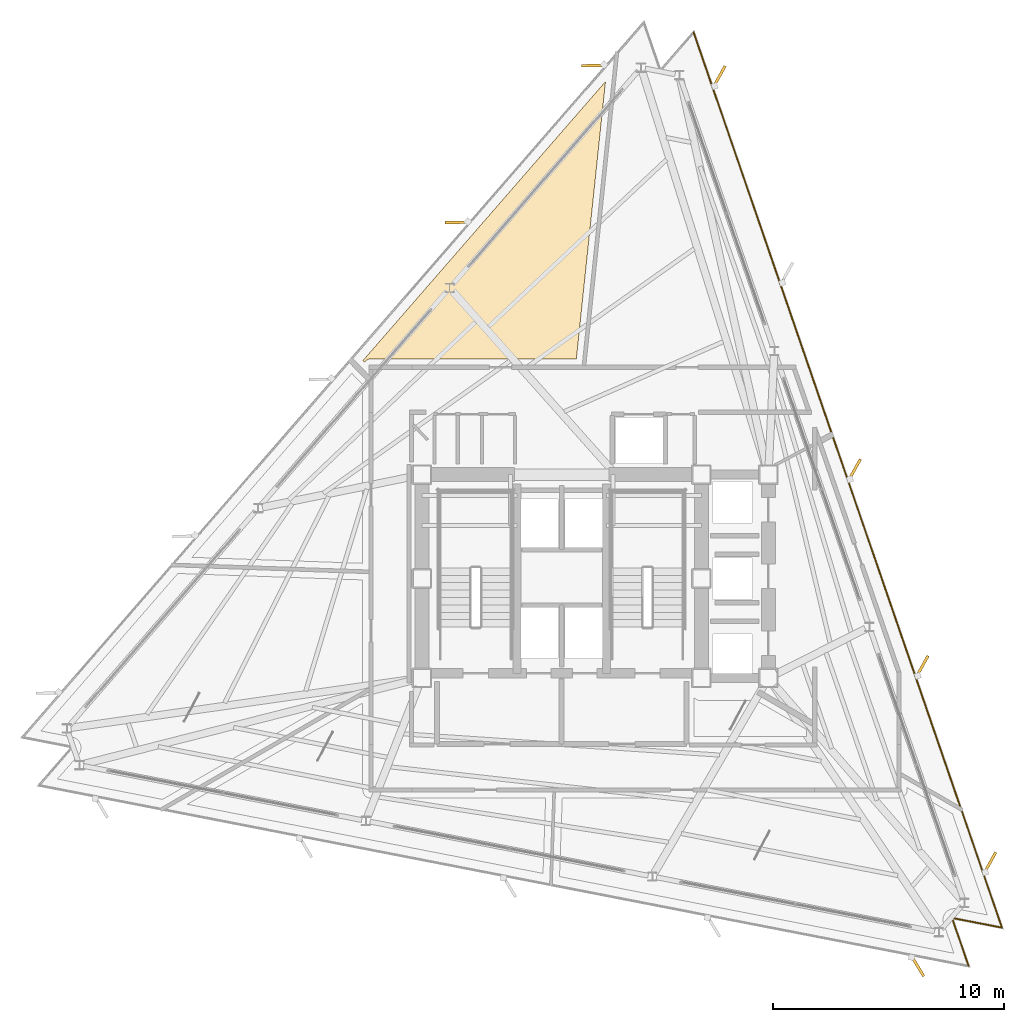
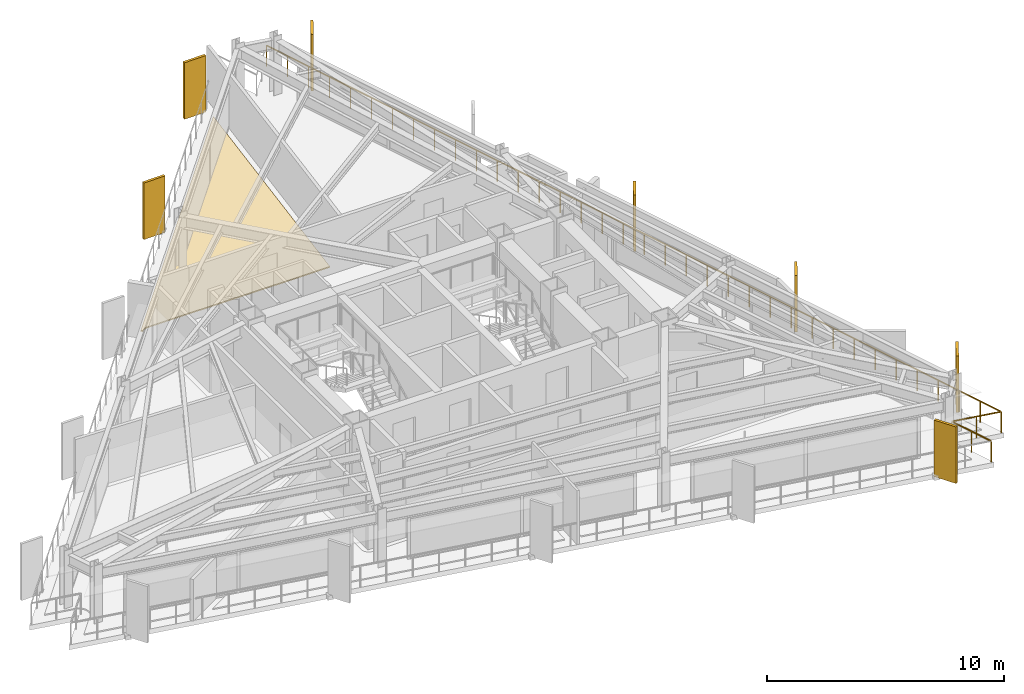
# One storey, part 13 of 13: 7 shading devices, 1 covering, 1 railing.
"""IFC4 building model written with IfcOpenShell, lengths in metres."""

from ifc_helpers import new_model, si_unit, direction, frame, origin, origin_2d, place, context, subcontext, project, spatial, polyline, rectangle, outline, extrude, material, layer, layer_set, type_object, element, save


model = new_model("IFC4")

# Units and contexts
model_context = context("Model", 3, precision=1e-05, world=origin(), true_north=direction((0.0, 1.0)))
body_context = subcontext(model_context, "Body", "Model", "MODEL_VIEW")
ifc_project = project(units=[si_unit("LENGTHUNIT", "METRE"), si_unit("AREAUNIT", "SQUARE_METRE"), si_unit("VOLUMEUNIT", "CUBIC_METRE"), si_unit("PLANEANGLEUNIT", "RADIAN"), si_unit("MASSUNIT", "GRAM", prefix="KILO")], contexts=[model_context])

# Site, building, storey
site_placement = place(None, origin())
site = spatial("IfcSite", under=ifc_project, at=site_placement, CompositionType="ELEMENT")
building_placement = place(site_placement, origin())
building = spatial("IfcBuilding", under=site, at=building_placement, Name="Rocaltana Carrier Exchange", CompositionType="ELEMENT")
storey_placement = place(building_placement, frame((0.0, 0.0, 162.39990234375)))
storey = spatial("IfcBuildingStorey", under=building, at=storey_placement, Name="L51", CompositionType="ELEMENT", Elevation=162.39990234375)

# Covering
ifc_material_1 = material(Name="Calcium Sulphate & Aluminium Pedestal", Category="aluminium")
ifc_layer_1 = layer(ifc_material_1, 0.06005859375)
ifc_layer_set_1 = layer_set([ifc_layer_1], Name="Calcium Sulphate & Aluminium Pedestal")
covering_type = type_object("IfcCoveringType", Name="Anti-Static Raised Exchange Access Floor 60", PredefinedType="FLOORING", material=ifc_layer_set_1)
covering_placement = place(storey_placement, origin())
element("IfcCovering", 1, at=covering_placement, inside=storey, type_object=covering_type, Name="L51 Quiet Focus Lounge Finish Floor", PredefinedType="FLOORING", context=body_context, shape_type="SweptSolid", body=[
    extrude(outline(polyline([(-8.54052734375, 9.3623046875), (-8.607421875, 9.431396484375), (1.899658203125, 21.518310546875), (0.6376953125, 9.510009765625), (-8.25, 9.510009765625), (-8.263671875, 9.509765625), (-8.271484375, 9.50927734375), (-8.298828125, 9.506591796875), (-8.306640625, 9.50537109375), (-8.33349609375, 9.5), (-8.34130859375, 9.498291015625), (-8.36767578125, 9.490234375), (-8.375, 9.487548828125), (-8.400390625, 9.47705078125), (-8.407470703125, 9.4736328125), (-8.431640625, 9.460693359375), (-8.4384765625, 9.456787109375), (-8.461181640625, 9.44140625), (-8.467529296875, 9.436767578125), (-8.48876953125, 9.419189453125), (-8.49462890625, 9.4140625), (-8.513916015625, 9.39453125), (-8.519287109375, 9.388916015625), (-8.53662109375, 9.367431640625), (-8.54052734375, 9.3623046875)])), origin(), (0.0, 0.0, 1.0), 0.06005859375),
])

# Shading devices
ifc_material_2 = material(Name="Honed Bogota Sandstone & Concrete C45/55", Category="masonry")
ifc_layer_2 = layer(ifc_material_2, 0.1201171875)
ifc_layer_set_2 = layer_set([ifc_layer_2], Name="Honed Bogota Sandstone & Concrete C45/55")
shading_device_type = type_object("IfcShadingDeviceType", Name="Upper Sandstone Shading Fin 1050x120", PredefinedType="USERDEFINED", material=ifc_layer_set_2)
for number, where, z_axis, x_axis, name in (
    (2, (18.541748046875, -12.3095703125, -0.1201171875), (0.0, 0.0, 1.0), (0.484809620246, 0.874619707139, 0.0), "L51 Sandstone Vertical Fin F1-01"),
    (3, (15.61181640625, -3.7998046875, -0.1201171875), (0.0, 0.0, 1.0), (0.484809620246, 0.874619707139, 0.0), "L51 Sandstone Vertical Fin F1-02"),
    (4, (12.681396484375, 4.709716796875, -0.1201171875), (0.0, 0.0, 1.0), (0.484809620246, 0.874619707139, 0.0), "L51 Sandstone Vertical Fin F1-03"),
    (5, (6.8212890625, 21.729248046875, -0.1201171875), (0.0, 0.0, 1.0), (0.484809620246, 0.874619707139, 0.0), "L51 Sandstone Vertical Fin F1-05"),
    (6, (1.389404296875, 22.21240234375, -0.1201171875), (0.0, 0.0, 1.0), (-0.999847695156, -0.017452406437, 0.0), "L51 Sandstone Vertical Fin F2-01"),
    (7, (-4.51513671875, 15.419921875, -0.1201171875), (0.0, 0.0, 1.0), (-0.999847695156, -0.017452406437, 0.0), "L51 Sandstone Vertical Fin F2-02"),
    (8, (15.407470703125, -16.77197265625, -0.1201171875), (0.0, 0.0, 1.0), (0.51503807491, -0.857167300702, 0.0), "L51 Sandstone Vertical Fin F3-05"),
):
    element("IfcShadingDevice", number, at=place(storey_placement, frame(where, z_axis=z_axis, x_axis=x_axis)), inside=storey, type_object=shading_device_type, Name=name, ObjectType="FIN", PredefinedType="USERDEFINED", context=body_context, shape_type="SweptSolid", body=[
        extrude(rectangle(XDim=1.050048828125, YDim=0.1201171875, at=origin_2d()), origin(), (0.0, 0.0, 1.0), 2.907958984375),
    ])

# Railing
ifc_material_3 = material(Name="Powder-Coated Aluminium 6063-T6", Category="aluminium")
ifc_layer_3 = layer(ifc_material_3, 0.06005859375)
ifc_layer_set_3 = layer_set([ifc_layer_3], Name="Powder-Coated Aluminium 6063-T6")
railing_type = type_object("IfcRailingType", Name="Wind-Floor & Terrace Perimeter Guardrail 1100", PredefinedType="GUARDRAIL", material=ifc_layer_set_3)
railing_placement = place(storey_placement, frame((5.716796875, 23.6455078125, 0.0)))
element("IfcRailing", 9, at=railing_placement, inside=storey, type_object=railing_type, Name="L51 Perimeter Balcony Guardrail 3", PredefinedType="GUARDRAIL", context=body_context, shape_type="SweptSolid", body=[
    extrude(rectangle(XDim=0.048095703125, YDim=0.048095703125, at=origin_2d()), frame((0.0, 0.0, 1.076171875), z_axis=(0.325567757379, -0.945518712324, 0.0), x_axis=(0.945518712324, 0.325567757379, 0.0)), (0.0, 0.0, 1.0), 40.9921875),
    extrude(rectangle(XDim=0.048095703125, YDim=0.048095703125, at=origin_2d()), frame((13.345703125, -38.7587890625, 1.076171875), z_axis=(-0.981637329589, 0.190756790591, 0.0), x_axis=(-0.190756790591, -0.981637329589, 0.0)), (0.0, 0.0, 1.0), 2.199951171875),
    extrude(rectangle(XDim=0.048095703125, YDim=0.048095703125, at=origin_2d()), frame((11.18603515625, -38.339111328125, 1.076171875), z_axis=(0.325600768791, -0.945507344955, 0.0), x_axis=(0.945507344955, 0.325600768791, 0.0)), (0.0, 0.0, 1.0), 2.199951171875),
    extrude(rectangle(XDim=0.0419921875, YDim=0.0419921875, at=origin_2d()), origin(), (0.0, 0.0, 1.0), 1.052001953125),
    extrude(rectangle(XDim=0.0419921875, YDim=0.0419921875, at=origin_2d()), frame((0.38134765625, -1.107421875, 0.0)), (0.0, 0.0, 1.0), 1.052001953125),
    extrude(rectangle(XDim=0.0419921875, YDim=0.0419921875, at=origin_2d()), frame((0.7626953125, -2.21484375, 0.0)), (0.0, 0.0, 1.0), 1.052001953125),
    extrude(rectangle(XDim=0.0419921875, YDim=0.0419921875, at=origin_2d()), frame((1.143798828125, -3.322265625, 0.0)), (0.0, 0.0, 1.0), 1.052001953125),
    extrude(rectangle(XDim=0.0419921875, YDim=0.0419921875, at=origin_2d()), frame((1.525146484375, -4.4296875, 0.0)), (0.0, 0.0, 1.0), 1.052001953125),
    extrude(rectangle(XDim=0.0419921875, YDim=0.0419921875, at=origin_2d()), frame((1.906494140625, -5.536865234375, 0.0)), (0.0, 0.0, 1.0), 1.052001953125),
    extrude(rectangle(XDim=0.0419921875, YDim=0.0419921875, at=origin_2d()), frame((2.287841796875, -6.644287109375, 0.0)), (0.0, 0.0, 1.0), 1.052001953125),
    extrude(rectangle(XDim=0.0419921875, YDim=0.0419921875, at=origin_2d()), frame((2.669189453125, -7.751708984375, 0.0)), (0.0, 0.0, 1.0), 1.052001953125),
    extrude(rectangle(XDim=0.0419921875, YDim=0.0419921875, at=origin_2d()), frame((3.050537109375, -8.859130859375, 0.0)), (0.0, 0.0, 1.0), 1.052001953125),
    extrude(rectangle(XDim=0.0419921875, YDim=0.0419921875, at=origin_2d()), frame((3.431640625, -9.966552734375, 0.0)), (0.0, 0.0, 1.0), 1.052001953125),
    extrude(rectangle(XDim=0.0419921875, YDim=0.0419921875, at=origin_2d()), frame((3.81298828125, -11.073974609375, 0.0)), (0.0, 0.0, 1.0), 1.052001953125),
    extrude(rectangle(XDim=0.0419921875, YDim=0.0419921875, at=origin_2d()), frame((4.1943359375, -12.181396484375, 0.0)), (0.0, 0.0, 1.0), 1.052001953125),
    extrude(rectangle(XDim=0.0419921875, YDim=0.0419921875, at=origin_2d()), frame((4.57568359375, -13.288818359375, 0.0)), (0.0, 0.0, 1.0), 1.052001953125),
    extrude(rectangle(XDim=0.0419921875, YDim=0.0419921875, at=origin_2d()), frame((4.95703125, -14.396240234375, 0.0)), (0.0, 0.0, 1.0), 1.052001953125),
    extrude(rectangle(XDim=0.0419921875, YDim=0.0419921875, at=origin_2d()), frame((5.33837890625, -15.50341796875, 0.0)), (0.0, 0.0, 1.0), 1.052001953125),
    extrude(rectangle(XDim=0.0419921875, YDim=0.0419921875, at=origin_2d()), frame((5.719482421875, -16.61083984375, 0.0)), (0.0, 0.0, 1.0), 1.052001953125),
    extrude(rectangle(XDim=0.0419921875, YDim=0.0419921875, at=origin_2d()), frame((6.100830078125, -17.71826171875, 0.0)), (0.0, 0.0, 1.0), 1.052001953125),
    extrude(rectangle(XDim=0.0419921875, YDim=0.0419921875, at=origin_2d()), frame((6.482177734375, -18.82568359375, 0.0)), (0.0, 0.0, 1.0), 1.052001953125),
    extrude(rectangle(XDim=0.0419921875, YDim=0.0419921875, at=origin_2d()), frame((6.863525390625, -19.93310546875, 0.0)), (0.0, 0.0, 1.0), 1.052001953125),
    extrude(rectangle(XDim=0.0419921875, YDim=0.0419921875, at=origin_2d()), frame((7.244873046875, -21.04052734375, 0.0)), (0.0, 0.0, 1.0), 1.052001953125),
    extrude(rectangle(XDim=0.0419921875, YDim=0.0419921875, at=origin_2d()), frame((7.626220703125, -22.14794921875, 0.0)), (0.0, 0.0, 1.0), 1.052001953125),
    extrude(rectangle(XDim=0.0419921875, YDim=0.0419921875, at=origin_2d()), frame((8.00732421875, -23.25537109375, 0.0)), (0.0, 0.0, 1.0), 1.052001953125),
    extrude(rectangle(XDim=0.0419921875, YDim=0.0419921875, at=origin_2d()), frame((8.388671875, -24.362548828125, 0.0)), (0.0, 0.0, 1.0), 1.052001953125),
    extrude(rectangle(XDim=0.0419921875, YDim=0.0419921875, at=origin_2d()), frame((8.77001953125, -25.469970703125, 0.0)), (0.0, 0.0, 1.0), 1.052001953125),
    extrude(rectangle(XDim=0.0419921875, YDim=0.0419921875, at=origin_2d()), frame((9.1513671875, -26.577392578125, 0.0)), (0.0, 0.0, 1.0), 1.052001953125),
    extrude(rectangle(XDim=0.0419921875, YDim=0.0419921875, at=origin_2d()), frame((9.53271484375, -27.684814453125, 0.0)), (0.0, 0.0, 1.0), 1.052001953125),
    extrude(rectangle(XDim=0.0419921875, YDim=0.0419921875, at=origin_2d()), frame((9.9140625, -28.792236328125, 0.0)), (0.0, 0.0, 1.0), 1.052001953125),
    extrude(rectangle(XDim=0.0419921875, YDim=0.0419921875, at=origin_2d()), frame((10.295166015625, -29.899658203125, 0.0)), (0.0, 0.0, 1.0), 1.052001953125),
    extrude(rectangle(XDim=0.0419921875, YDim=0.0419921875, at=origin_2d()), frame((10.676513671875, -31.007080078125, 0.0)), (0.0, 0.0, 1.0), 1.052001953125),
    extrude(rectangle(XDim=0.0419921875, YDim=0.0419921875, at=origin_2d()), frame((11.057861328125, -32.114501953125, 0.0)), (0.0, 0.0, 1.0), 1.052001953125),
    extrude(rectangle(XDim=0.0419921875, YDim=0.0419921875, at=origin_2d()), frame((11.439208984375, -33.221923828125, 0.0)), (0.0, 0.0, 1.0), 1.052001953125),
    extrude(rectangle(XDim=0.0419921875, YDim=0.0419921875, at=origin_2d()), frame((11.820556640625, -34.3291015625, 0.0)), (0.0, 0.0, 1.0), 1.052001953125),
    extrude(rectangle(XDim=0.0419921875, YDim=0.0419921875, at=origin_2d()), frame((12.201904296875, -35.4365234375, 0.0)), (0.0, 0.0, 1.0), 1.052001953125),
    extrude(rectangle(XDim=0.0419921875, YDim=0.0419921875, at=origin_2d()), frame((12.5830078125, -36.5439453125, 0.0)), (0.0, 0.0, 1.0), 1.052001953125),
    extrude(rectangle(XDim=0.0419921875, YDim=0.0419921875, at=origin_2d()), frame((12.96435546875, -37.6513671875, 0.0)), (0.0, 0.0, 1.0), 1.052001953125),
    extrude(rectangle(XDim=0.0419921875, YDim=0.0419921875, at=origin_2d()), frame((13.345703125, -38.7587890625, 0.0)), (0.0, 0.0, 1.0), 1.052001953125),
    extrude(rectangle(XDim=0.0419921875, YDim=0.0419921875, at=origin_2d()), frame((12.265869140625, -38.548828125, 0.0)), (0.0, 0.0, 1.0), 1.052001953125),
    extrude(rectangle(XDim=0.0419921875, YDim=0.0419921875, at=origin_2d()), frame((11.18603515625, -38.339111328125, 0.0)), (0.0, 0.0, 1.0), 1.052001953125),
    extrude(rectangle(XDim=0.0419921875, YDim=0.0419921875, at=origin_2d()), frame((11.544189453125, -39.379150390625, 0.0)), (0.0, 0.0, 1.0), 1.052001953125),
    extrude(rectangle(XDim=0.0419921875, YDim=0.0419921875, at=origin_2d()), frame((11.90234375, -40.419189453125, 0.0)), (0.0, 0.0, 1.0), 1.052001953125),
])

save(model, "model.ifc")
